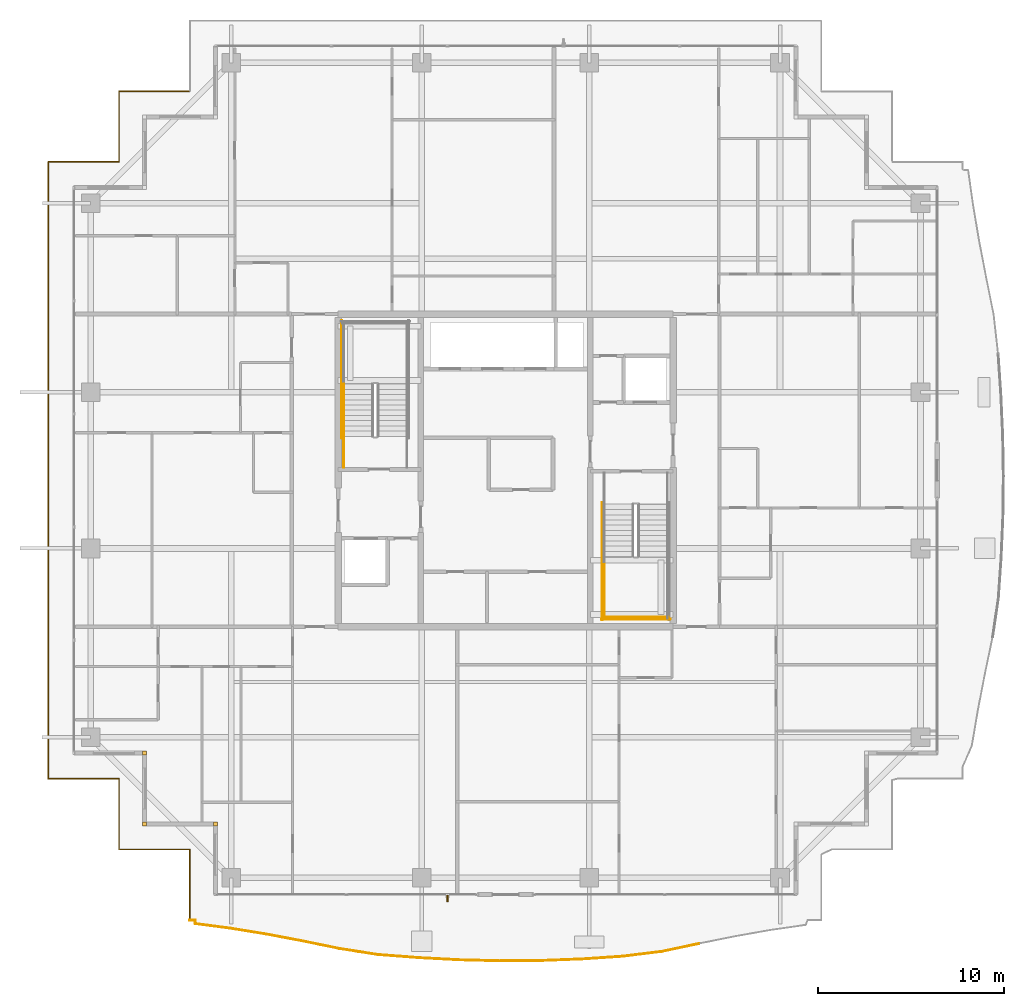
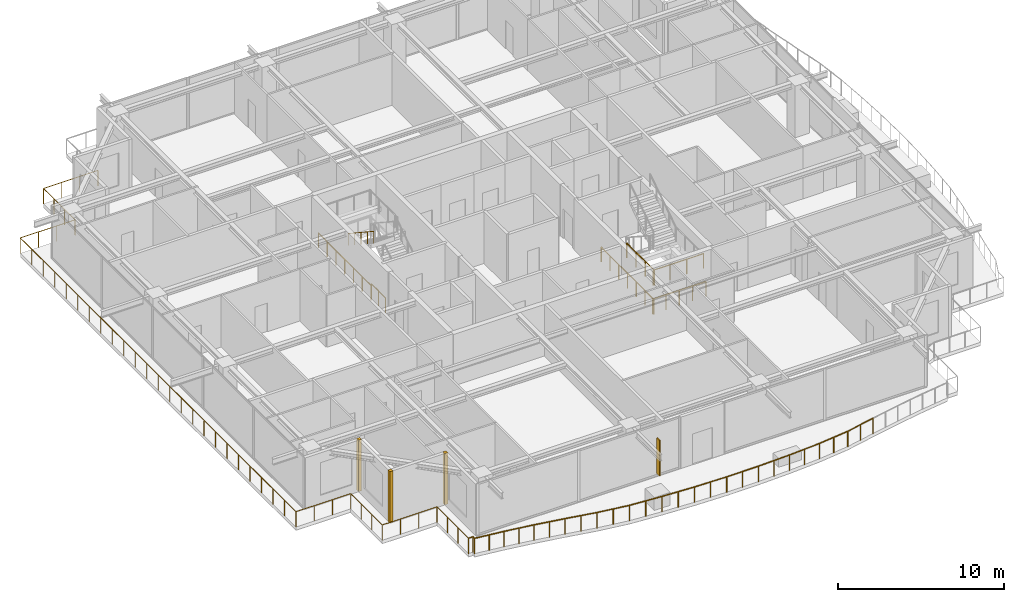
# One storey, part 37 of 41: 10 railings, 3 coverings, 1 shading device.
"""IFC4 building model written with IfcOpenShell, lengths in metres."""

from ifc_helpers import new_model, si_unit, direction, frame, origin, origin_2d, place, context, subcontext, project, spatial, rectangle, circle, extrude, source, transform, mapped, material, layer, layer_set, type_object, element, save


model = new_model("IFC4")

# Units and contexts
model_context = context("Model", 3, precision=1e-05, world=origin(), true_north=direction((0.0, 1.0)))
body_context = subcontext(model_context, "Body", "Model", "MODEL_VIEW")
ifc_project = project(units=[si_unit("LENGTHUNIT", "METRE"), si_unit("AREAUNIT", "SQUARE_METRE"), si_unit("VOLUMEUNIT", "CUBIC_METRE"), si_unit("PLANEANGLEUNIT", "RADIAN"), si_unit("MASSUNIT", "GRAM", prefix="KILO")], contexts=[model_context])

# Site, building, storey
site_placement = place(None, origin())
site = spatial("IfcSite", under=ifc_project, at=site_placement, CompositionType="ELEMENT")
building_placement = place(site_placement, origin())
building = spatial("IfcBuilding", under=site, at=building_placement, Name="Serunith Strait Residences", CompositionType="ELEMENT")
storey_placement = place(building_placement, frame((0.0, 0.0, 301.550048828125)))
storey = spatial("IfcBuildingStorey", under=building, at=storey_placement, Name="L75", CompositionType="ELEMENT", Elevation=301.550048828125)

# Railings
ifc_material_1 = material(Name="Stainless Steel & Laminated Glass Balustrade", Category="steel")
railing_type_1 = type_object("IfcRailingType", Name="RLG-BALC-1150", PredefinedType="BALUSTRADE", material=ifc_material_1)
railing_1_placement = place(storey_placement, frame((15.419921875, 1.02001953125, -0.050048828125)))
element("IfcRailing", 1, at=railing_1_placement, inside=storey, type_object=railing_type_1, Name="L75 Swirling Balcony Perimeter Balustrade 1", PredefinedType="BALUSTRADE", context=body_context, shape_type="SweptSolid", body=[
    extrude(circle(Radius=0.02392578125, at=origin_2d()), frame((0.0, 0.001953125, 1.1259765625), z_axis=(0.0, 1.0, 0.0), x_axis=(-1.0, 0.0, 0.0)), (0.0, 0.0, 1.0), 3.796142578125),
    extrude(circle(Radius=0.02392578125, at=origin_2d()), frame((-0.001953125, 3.800048828125, 1.1259765625), z_axis=(-1.0, 0.0, 0.0), x_axis=(0.0, -1.0, 0.0)), (0.0, 0.0, 1.0), 3.7958984375),
    extrude(circle(Radius=0.02392578125, at=origin_2d()), frame((-3.7998046875, 3.802001953125, 1.1259765625), z_axis=(0.0, 1.0, 0.0), x_axis=(-1.0, 0.0, 0.0)), (0.0, 0.0, 1.0), 3.796142578125),
    extrude(circle(Radius=0.02392578125, at=origin_2d()), frame((-3.8017578125, 7.60009765625, 1.1259765625), z_axis=(-1.0, 0.0, 0.0), x_axis=(0.0, -1.0, 0.0)), (0.0, 0.0, 1.0), 3.796142578125),
    extrude(circle(Radius=0.02392578125, at=origin_2d()), frame((-7.599853515625, 7.60205078125, 1.1259765625), z_axis=(0.0, 1.0, 0.0), x_axis=(-1.0, 0.0, 0.0)), (0.0, 0.0, 1.0), 33.156005859375),
    extrude(circle(Radius=0.02392578125, at=origin_2d()), frame((-7.597900390625, 40.760009765625, 1.1259765625), z_axis=(1.0, 0.0, 0.0), x_axis=(0.0, 1.0, 0.0)), (0.0, 0.0, 1.0), 3.796142578125),
    extrude(circle(Radius=0.02392578125, at=origin_2d()), frame((-3.7998046875, 40.761962890625, 1.1259765625), z_axis=(0.0, 1.0, 0.0), x_axis=(-1.0, 0.0, 0.0)), (0.0, 0.0, 1.0), 3.796142578125),
    extrude(circle(Radius=0.02392578125, at=origin_2d()), frame((-3.7978515625, 44.56005859375, 1.1259765625), z_axis=(1.0, 0.0, 0.0), x_axis=(0.0, 1.0, 0.0)), (0.0, 0.0, 1.0), 3.783447265625),
    extrude(circle(Radius=0.02099609375, at=origin_2d()), origin(), (0.0, 0.0, 1.0), 1.099853515625),
    extrude(circle(Radius=0.02099609375, at=origin_2d()), frame((0.0, 1.2666015625, 0.0)), (0.0, 0.0, 1.0), 1.099853515625),
    extrude(circle(Radius=0.02099609375, at=origin_2d()), frame((0.0, 2.533447265625, 0.0)), (0.0, 0.0, 1.0), 1.099853515625),
    extrude(circle(Radius=0.02099609375, at=origin_2d()), frame((0.0, 3.800048828125, 0.0)), (0.0, 0.0, 1.0), 1.099853515625),
    extrude(circle(Radius=0.02099609375, at=origin_2d()), frame((-1.2666015625, 3.800048828125, 0.0)), (0.0, 0.0, 1.0), 1.099853515625),
    extrude(circle(Radius=0.02099609375, at=origin_2d()), frame((-2.533203125, 3.800048828125, 0.0)), (0.0, 0.0, 1.0), 1.099853515625),
    extrude(circle(Radius=0.02099609375, at=origin_2d()), frame((-3.7998046875, 3.800048828125, 0.0)), (0.0, 0.0, 1.0), 1.099853515625),
    extrude(circle(Radius=0.02099609375, at=origin_2d()), frame((-3.7998046875, 5.066650390625, 0.0)), (0.0, 0.0, 1.0), 1.099853515625),
    extrude(circle(Radius=0.02099609375, at=origin_2d()), frame((-3.7998046875, 6.33349609375, 0.0)), (0.0, 0.0, 1.0), 1.099853515625),
    extrude(circle(Radius=0.02099609375, at=origin_2d()), frame((-3.7998046875, 7.60009765625, 0.0)), (0.0, 0.0, 1.0), 1.099853515625),
    extrude(circle(Radius=0.02099609375, at=origin_2d()), frame((-5.06640625, 7.60009765625, 0.0)), (0.0, 0.0, 1.0), 1.099853515625),
    extrude(circle(Radius=0.02099609375, at=origin_2d()), frame((-6.333251953125, 7.60009765625, 0.0)), (0.0, 0.0, 1.0), 1.099853515625),
    extrude(circle(Radius=0.02099609375, at=origin_2d()), frame((-7.599853515625, 7.60009765625, 0.0)), (0.0, 0.0, 1.0), 1.099853515625),
    extrude(circle(Radius=0.02099609375, at=origin_2d()), frame((-7.599853515625, 8.981689453125, 0.0)), (0.0, 0.0, 1.0), 1.099853515625),
    extrude(circle(Radius=0.02099609375, at=origin_2d()), frame((-7.599853515625, 10.363525390625, 0.0)), (0.0, 0.0, 1.0), 1.099853515625),
    extrude(circle(Radius=0.02099609375, at=origin_2d()), frame((-7.599853515625, 11.7451171875, 0.0)), (0.0, 0.0, 1.0), 1.099853515625),
    extrude(circle(Radius=0.02099609375, at=origin_2d()), frame((-7.599853515625, 13.126708984375, 0.0)), (0.0, 0.0, 1.0), 1.099853515625),
    extrude(circle(Radius=0.02099609375, at=origin_2d()), frame((-7.599853515625, 14.50830078125, 0.0)), (0.0, 0.0, 1.0), 1.099853515625),
    extrude(circle(Radius=0.02099609375, at=origin_2d()), frame((-7.599853515625, 15.89013671875, 0.0)), (0.0, 0.0, 1.0), 1.099853515625),
    extrude(circle(Radius=0.02099609375, at=origin_2d()), frame((-7.599853515625, 17.271728515625, 0.0)), (0.0, 0.0, 1.0), 1.099853515625),
    extrude(circle(Radius=0.02099609375, at=origin_2d()), frame((-7.599853515625, 18.6533203125, 0.0)), (0.0, 0.0, 1.0), 1.099853515625),
    extrude(circle(Radius=0.02099609375, at=origin_2d()), frame((-7.599853515625, 20.03515625, 0.0)), (0.0, 0.0, 1.0), 1.099853515625),
    extrude(circle(Radius=0.02099609375, at=origin_2d()), frame((-7.599853515625, 21.416748046875, 0.0)), (0.0, 0.0, 1.0), 1.099853515625),
    extrude(circle(Radius=0.02099609375, at=origin_2d()), frame((-7.599853515625, 22.79833984375, 0.0)), (0.0, 0.0, 1.0), 1.099853515625),
    extrude(circle(Radius=0.02099609375, at=origin_2d()), frame((-7.599853515625, 24.18017578125, 0.0)), (0.0, 0.0, 1.0), 1.099853515625),
    extrude(circle(Radius=0.02099609375, at=origin_2d()), frame((-7.599853515625, 25.561767578125, 0.0)), (0.0, 0.0, 1.0), 1.099853515625),
    extrude(circle(Radius=0.02099609375, at=origin_2d()), frame((-7.599853515625, 26.943359375, 0.0)), (0.0, 0.0, 1.0), 1.099853515625),
    extrude(circle(Radius=0.02099609375, at=origin_2d()), frame((-7.599853515625, 28.324951171875, 0.0)), (0.0, 0.0, 1.0), 1.099853515625),
    extrude(circle(Radius=0.02099609375, at=origin_2d()), frame((-7.599853515625, 29.706787109375, 0.0)), (0.0, 0.0, 1.0), 1.099853515625),
    extrude(circle(Radius=0.02099609375, at=origin_2d()), frame((-7.599853515625, 31.08837890625, 0.0)), (0.0, 0.0, 1.0), 1.099853515625),
    extrude(circle(Radius=0.02099609375, at=origin_2d()), frame((-7.599853515625, 32.469970703125, 0.0)), (0.0, 0.0, 1.0), 1.099853515625),
    extrude(circle(Radius=0.02099609375, at=origin_2d()), frame((-7.599853515625, 33.851806640625, 0.0)), (0.0, 0.0, 1.0), 1.099853515625),
    extrude(circle(Radius=0.02099609375, at=origin_2d()), frame((-7.599853515625, 35.2333984375, 0.0)), (0.0, 0.0, 1.0), 1.099853515625),
    extrude(circle(Radius=0.02099609375, at=origin_2d()), frame((-7.599853515625, 36.614990234375, 0.0)), (0.0, 0.0, 1.0), 1.099853515625),
    extrude(circle(Radius=0.02099609375, at=origin_2d()), frame((-7.599853515625, 37.99658203125, 0.0)), (0.0, 0.0, 1.0), 1.099853515625),
    extrude(circle(Radius=0.02099609375, at=origin_2d()), frame((-7.599853515625, 39.37841796875, 0.0)), (0.0, 0.0, 1.0), 1.099853515625),
    extrude(circle(Radius=0.02099609375, at=origin_2d()), frame((-7.599853515625, 40.760009765625, 0.0)), (0.0, 0.0, 1.0), 1.099853515625),
    extrude(circle(Radius=0.02099609375, at=origin_2d()), frame((-6.333251953125, 40.760009765625, 0.0)), (0.0, 0.0, 1.0), 1.099853515625),
    extrude(circle(Radius=0.02099609375, at=origin_2d()), frame((-5.06640625, 40.760009765625, 0.0)), (0.0, 0.0, 1.0), 1.099853515625),
    extrude(circle(Radius=0.02099609375, at=origin_2d()), frame((-3.7998046875, 40.760009765625, 0.0)), (0.0, 0.0, 1.0), 1.099853515625),
    extrude(circle(Radius=0.02099609375, at=origin_2d()), frame((-3.7998046875, 42.026611328125, 0.0)), (0.0, 0.0, 1.0), 1.099853515625),
    extrude(circle(Radius=0.02099609375, at=origin_2d()), frame((-3.7998046875, 43.29345703125, 0.0)), (0.0, 0.0, 1.0), 1.099853515625),
    extrude(circle(Radius=0.02099609375, at=origin_2d()), frame((-3.7998046875, 44.56005859375, 0.0)), (0.0, 0.0, 1.0), 1.099853515625),
    extrude(circle(Radius=0.02099609375, at=origin_2d()), frame((-2.537353515625, 44.56005859375, 0.0)), (0.0, 0.0, 1.0), 1.099853515625),
    extrude(circle(Radius=0.02099609375, at=origin_2d()), frame((-1.27490234375, 44.56005859375, 0.0)), (0.0, 0.0, 1.0), 1.099853515625),
    extrude(circle(Radius=0.02099609375, at=origin_2d()), frame((-0.012451171875, 44.56005859375, 0.0)), (0.0, 0.0, 1.0), 1.099853515625),
])
railing_2_placement = place(storey_placement, frame((42.795654296875, -0.240478515625, -0.050048828125)))
element("IfcRailing", 2, at=railing_2_placement, inside=storey, type_object=railing_type_1, Name="L75 Swirling Balcony Perimeter Balustrade 7", PredefinedType="BALUSTRADE", context=body_context, shape_type="SweptSolid", body=[
    extrude(circle(Radius=0.02392578125, at=origin_2d()), frame((-0.001953125, -0.00048828125, 1.1259765625), z_axis=(-0.978247338357, -0.207441907524, 0.0), x_axis=(0.207441907524, -0.978247338357, 0.0)), (0.0, 0.0, 1.0), 2.04150390625),
    extrude(circle(Radius=0.02392578125, at=origin_2d()), frame((-2.0029296875, -0.424560546875, 1.1259765625), z_axis=(-0.992519569327, -0.122085644135, 0.0), x_axis=(0.122085644135, -0.992519569327, 0.0)), (0.0, 0.0, 1.0), 2.123779296875),
    extrude(circle(Radius=0.02392578125, at=origin_2d()), frame((-4.11474609375, -0.684326171875, 1.1259765625), z_axis=(-0.997781188469, -0.066578524596, 0.0), x_axis=(0.066578524596, -0.997781188469, 0.0)), (0.0, 0.0, 1.0), 2.174072265625),
    extrude(circle(Radius=0.02392578125, at=origin_2d()), frame((-6.2880859375, -0.8291015625, 1.1259765625), z_axis=(-0.999261011003, -0.038437376213, 0.0), x_axis=(0.038437376213, -0.999261011003, 0.0)), (0.0, 0.0, 1.0), 2.199951171875),
    extrude(circle(Radius=0.02392578125, at=origin_2d()), frame((-8.490478515625, -0.913818359375, 1.1259765625), z_axis=(-0.999976663006, -0.006831796486, 0.0), x_axis=(0.006831796486, -0.999976663006, 0.0)), (0.0, 0.0, 1.0), 2.211669921875),
    extrude(circle(Radius=0.02392578125, at=origin_2d()), frame((-10.7060546875, -0.928955078125, 1.1259765625), z_axis=(-0.99968888601, 0.024942557765, 0.0), x_axis=(-0.024942557765, -0.99968888601, 0.0)), (0.0, 0.0, 1.0), 2.2080078125),
    extrude(circle(Radius=0.02392578125, at=origin_2d()), frame((-12.91748046875, -0.873779296875, 1.1259765625), z_axis=(-0.998566645882, 0.05352246007, 0.0), x_axis=(-0.05352246007, -0.998566645882, 0.0)), (0.0, 0.0, 1.0), 2.18994140625),
    extrude(circle(Radius=0.02099609375, at=origin_2d()), origin(), (0.0, 0.0, 1.0), 1.099853515625),
    extrude(circle(Radius=0.02099609375, at=origin_2d()), frame((-1.00048828125, -0.212158203125, 0.0)), (0.0, 0.0, 1.0), 1.099853515625),
    extrude(circle(Radius=0.02099609375, at=origin_2d()), frame((-2.0009765625, -0.42431640625, 0.0)), (0.0, 0.0, 1.0), 1.099853515625),
    extrude(circle(Radius=0.02099609375, at=origin_2d()), frame((-3.056884765625, -0.55419921875, 0.0)), (0.0, 0.0, 1.0), 1.099853515625),
    extrude(circle(Radius=0.02099609375, at=origin_2d()), frame((-4.11279296875, -0.68408203125, 0.0)), (0.0, 0.0, 1.0), 1.099853515625),
    extrude(circle(Radius=0.02099609375, at=origin_2d()), frame((-5.199462890625, -0.756591796875, 0.0)), (0.0, 0.0, 1.0), 1.099853515625),
    extrude(circle(Radius=0.02099609375, at=origin_2d()), frame((-6.2861328125, -0.8291015625, 0.0)), (0.0, 0.0, 1.0), 1.099853515625),
    extrude(circle(Radius=0.02099609375, at=origin_2d()), frame((-7.38720703125, -0.87158203125, 0.0)), (0.0, 0.0, 1.0), 1.099853515625),
    extrude(circle(Radius=0.02099609375, at=origin_2d()), frame((-8.488525390625, -0.913818359375, 0.0)), (0.0, 0.0, 1.0), 1.099853515625),
    extrude(circle(Radius=0.02099609375, at=origin_2d()), frame((-9.59619140625, -0.92138671875, 0.0)), (0.0, 0.0, 1.0), 1.099853515625),
    extrude(circle(Radius=0.02099609375, at=origin_2d()), frame((-10.7041015625, -0.928955078125, 0.0)), (0.0, 0.0, 1.0), 1.099853515625),
    extrude(circle(Radius=0.02099609375, at=origin_2d()), frame((-11.809814453125, -0.9013671875, 0.0)), (0.0, 0.0, 1.0), 1.099853515625),
    extrude(circle(Radius=0.02099609375, at=origin_2d()), frame((-12.91552734375, -0.873779296875, 0.0)), (0.0, 0.0, 1.0), 1.099853515625),
    extrude(circle(Radius=0.02099609375, at=origin_2d()), frame((-14.010986328125, -0.81494140625, 0.0)), (0.0, 0.0, 1.0), 1.099853515625),
    extrude(circle(Radius=0.02099609375, at=origin_2d()), frame((-15.1064453125, -0.75634765625, 0.0)), (0.0, 0.0, 1.0), 1.099853515625),
])
railing_3_placement = place(storey_placement, frame((27.689208984375, -0.996826171875, -0.050048828125)))
element("IfcRailing", 3, at=railing_3_placement, inside=storey, type_object=railing_type_1, Name="L75 Swirling Balcony Perimeter Balustrade 8", PredefinedType="BALUSTRADE", context=body_context, shape_type="SweptSolid", body=[
    extrude(circle(Radius=0.02392578125, at=origin_2d()), frame((-0.001953125, 0.000244140625, 1.1259765625), z_axis=(-0.997081619449, 0.076342937838, 0.0), x_axis=(-0.076342937838, -0.997081619449, 0.0)), (0.0, 0.0, 1.0), 2.160888671875),
    extrude(circle(Radius=0.02392578125, at=origin_2d()), frame((-2.16064453125, 0.16552734375, 1.1259765625), z_axis=(-0.987866426767, 0.155305900937, 0.0), x_axis=(-0.155305900937, -0.987866426767, 0.0)), (0.0, 0.0, 1.0), 2.09619140625),
    extrude(circle(Radius=0.02392578125, at=origin_2d()), frame((-4.2353515625, 0.491943359375, 1.1259765625), z_axis=(-0.979495523482, 0.201465926345, 0.0), x_axis=(-0.201465926345, -0.979495523482, 0.0)), (0.0, 0.0, 1.0), 2.022216796875),
    extrude(circle(Radius=0.02392578125, at=origin_2d()), frame((-6.219970703125, 0.900146484375, 1.1259765625), z_axis=(-0.982552514499, 0.185985365693, 0.0), x_axis=(-0.185985365693, -0.982552514499, 0.0)), (0.0, 0.0, 1.0), 1.9677734375),
    extrude(circle(Radius=0.02392578125, at=origin_2d()), frame((-8.1572265625, 1.2666015625, 1.1259765625), z_axis=(-0.987074202821, 0.160263901506, 0.0), x_axis=(-0.160263901506, -0.987074202821, 0.0)), (0.0, 0.0, 1.0), 1.9306640625),
    extrude(circle(Radius=0.02392578125, at=origin_2d()), frame((-10.06689453125, 1.57666015625, 1.1259765625), z_axis=(-0.991317889933, 0.131487037762, 0.0), x_axis=(-0.131487037762, -0.991317889933, 0.0)), (0.0, 0.0, 1.0), 1.910400390625),
    extrude(circle(Radius=0.02392578125, at=origin_2d()), frame((-11.962646484375, 1.830078125, 1.1259765625), z_axis=(0.007761732553, 0.9999698773, 0.0), x_axis=(-0.9999698773, 0.007761732553, 0.0)), (0.0, 0.0, 1.0), 0.184814453125),
    extrude(circle(Radius=0.02392578125, at=origin_2d()), frame((-11.963134765625, 2.016845703125, 1.1259765625), z_axis=(-1.0, 0.0, 0.0), x_axis=(0.0, -1.0, 0.0)), (0.0, 0.0, 1.0), 0.30419921875),
    extrude(circle(Radius=0.02099609375, at=origin_2d()), origin(), (0.0, 0.0, 1.0), 1.099853515625),
    extrude(circle(Radius=0.02099609375, at=origin_2d()), frame((-1.079345703125, 0.08251953125, 0.0)), (0.0, 0.0, 1.0), 1.099853515625),
    extrude(circle(Radius=0.02099609375, at=origin_2d()), frame((-2.15869140625, 0.165283203125, 0.0)), (0.0, 0.0, 1.0), 1.099853515625),
    extrude(circle(Radius=0.02099609375, at=origin_2d()), frame((-3.196044921875, 0.328369140625, 0.0)), (0.0, 0.0, 1.0), 1.099853515625),
    extrude(circle(Radius=0.02099609375, at=origin_2d()), frame((-4.2333984375, 0.491455078125, 0.0)), (0.0, 0.0, 1.0), 1.099853515625),
    extrude(circle(Radius=0.02099609375, at=origin_2d()), frame((-5.2255859375, 0.695556640625, 0.0)), (0.0, 0.0, 1.0), 1.099853515625),
    extrude(circle(Radius=0.02099609375, at=origin_2d()), frame((-6.218017578125, 0.899658203125, 0.0)), (0.0, 0.0, 1.0), 1.099853515625),
    extrude(circle(Radius=0.02099609375, at=origin_2d()), frame((-7.1865234375, 1.0830078125, 0.0)), (0.0, 0.0, 1.0), 1.099853515625),
    extrude(circle(Radius=0.02099609375, at=origin_2d()), frame((-8.1552734375, 1.266357421875, 0.0)), (0.0, 0.0, 1.0), 1.099853515625),
    extrude(circle(Radius=0.02099609375, at=origin_2d()), frame((-9.110107421875, 1.42138671875, 0.0)), (0.0, 0.0, 1.0), 1.099853515625),
    extrude(circle(Radius=0.02099609375, at=origin_2d()), frame((-10.06494140625, 1.576416015625, 0.0)), (0.0, 0.0, 1.0), 1.099853515625),
    extrude(circle(Radius=0.02099609375, at=origin_2d()), frame((-11.013671875, 1.7021484375, 0.0)), (0.0, 0.0, 1.0), 1.099853515625),
    extrude(circle(Radius=0.02099609375, at=origin_2d()), frame((-11.962646484375, 1.828125, 0.0)), (0.0, 0.0, 1.0), 1.099853515625),
    extrude(circle(Radius=0.02099609375, at=origin_2d()), frame((-11.961181640625, 2.016845703125, 0.0)), (0.0, 0.0, 1.0), 1.099853515625),
    extrude(circle(Radius=0.02099609375, at=origin_2d()), frame((-12.269287109375, 2.016845703125, 0.0)), (0.0, 0.0, 1.0), 1.099853515625),
])
ifc_material_2 = material(Name="Brushed stainless steel 316L", Category="steel")
railing_type_2 = type_object("IfcRailingType", Name="RLG-STAIR-GUARD", PredefinedType="BALUSTRADE", material=ifc_material_2)
railing_4_placement = place(storey_placement, frame((23.699951171875, 25.35009765625, 0.0)))
element("IfcRailing", 4, at=railing_4_placement, inside=storey, type_object=railing_type_2, Name="L75 ST-1 stair guard 9", PredefinedType="BALUSTRADE", context=body_context, shape_type="SweptSolid", body=[
    extrude(circle(Radius=0.02392578125, at=origin_2d()), frame((0.0, 0.001953125, 1.076171875), z_axis=(0.0, 1.0, 0.0), x_axis=(-1.0, 0.0, 0.0)), (0.0, 0.0, 1.0), 1.676025390625),
    extrude(circle(Radius=0.02099609375, at=origin_2d()), origin(), (0.0, 0.0, 1.0), 1.050048828125),
    extrude(circle(Radius=0.02099609375, at=origin_2d()), frame((0.0, 0.83984375, 0.0)), (0.0, 0.0, 1.0), 1.050048828125),
    extrude(circle(Radius=0.02099609375, at=origin_2d()), frame((0.0, 1.679931640625, 0.0)), (0.0, 0.0, 1.0), 1.050048828125),
])
railing_5_placement = place(storey_placement, frame((23.60009765625, 26.929931640625, 0.0)))
element("IfcRailing", 5, at=railing_5_placement, inside=storey, type_object=railing_type_2, Name="L75 ST-1 stair guard 11", PredefinedType="BALUSTRADE", context=body_context, shape_type="SweptSolid", body=[
    extrude(circle(Radius=0.02392578125, at=origin_2d()), frame((0.0, 0.001953125, 1.076171875), z_axis=(0.0, 1.0, 0.0), x_axis=(-1.0, 0.0, 0.0)), (0.0, 0.0, 1.0), 6.316162109375),
    extrude(circle(Radius=0.02099609375, at=origin_2d()), origin(), (0.0, 0.0, 1.0), 1.050048828125),
    extrude(circle(Radius=0.02099609375, at=origin_2d()), frame((0.0, 1.05322265625, 0.0)), (0.0, 0.0, 1.0), 1.050048828125),
    extrude(circle(Radius=0.02099609375, at=origin_2d()), frame((0.0, 2.106689453125, 0.0)), (0.0, 0.0, 1.0), 1.050048828125),
    extrude(circle(Radius=0.02099609375, at=origin_2d()), frame((0.0, 3.16015625, 0.0)), (0.0, 0.0, 1.0), 1.050048828125),
    extrude(circle(Radius=0.02099609375, at=origin_2d()), frame((0.0, 4.21337890625, 0.0)), (0.0, 0.0, 1.0), 1.050048828125),
    extrude(circle(Radius=0.02099609375, at=origin_2d()), frame((0.0, 5.2666015625, 0.0)), (0.0, 0.0, 1.0), 1.050048828125),
    extrude(circle(Radius=0.02099609375, at=origin_2d()), frame((0.0, 6.320068359375, 0.0)), (0.0, 0.0, 1.0), 1.050048828125),
])
railing_6_placement = place(storey_placement, frame((37.699951171875, 20.570068359375, 2.02490234375)))
element("IfcRailing", 6, at=railing_6_placement, inside=storey, type_object=railing_type_2, Name="L75 ST-2 stair guard 3", PredefinedType="BALUSTRADE", context=body_context, shape_type="SweptSolid", body=[
    extrude(circle(Radius=0.02392578125, at=origin_2d()), frame((0.0, -0.001953125, 1.076171875), z_axis=(0.0, -1.0, 0.0), x_axis=(1.0, 0.0, 0.0)), (0.0, 0.0, 1.0), 3.316162109375),
    extrude(circle(Radius=0.02099609375, at=origin_2d()), origin(), (0.0, 0.0, 1.0), 1.050048828125),
    extrude(circle(Radius=0.02099609375, at=origin_2d()), frame((0.0, -1.106689453125, 0.0)), (0.0, 0.0, 1.0), 1.050048828125),
    extrude(circle(Radius=0.02099609375, at=origin_2d()), frame((0.0, -2.21337890625, 0.0)), (0.0, 0.0, 1.0), 1.050048828125),
    extrude(circle(Radius=0.02099609375, at=origin_2d()), frame((0.0, -3.320068359375, 0.0)), (0.0, 0.0, 1.0), 1.050048828125),
])
railing_7_placement = place(storey_placement, frame((37.64990234375, 17.300048828125, 2.02490234375)))
element("IfcRailing", 7, at=railing_7_placement, inside=storey, type_object=railing_type_2, Name="L75 ST-2 stair guard 5", PredefinedType="BALUSTRADE", context=body_context, shape_type="SweptSolid", body=[
    extrude(circle(Radius=0.02392578125, at=origin_2d()), frame((0.001953125, 0.0, 1.076171875), z_axis=(1.0, 0.0, 0.0), x_axis=(0.0, 1.0, 0.0)), (0.0, 0.0, 1.0), 3.49609375),
    extrude(circle(Radius=0.02099609375, at=origin_2d()), origin(), (0.0, 0.0, 1.0), 1.050048828125),
    extrude(circle(Radius=0.02099609375, at=origin_2d()), frame((1.166748046875, 0.0, 0.0)), (0.0, 0.0, 1.0), 1.050048828125),
    extrude(circle(Radius=0.02099609375, at=origin_2d()), frame((2.333251953125, 0.0, 0.0)), (0.0, 0.0, 1.0), 1.050048828125),
    extrude(circle(Radius=0.02099609375, at=origin_2d()), frame((3.5, 0.0, 0.0)), (0.0, 0.0, 1.0), 1.050048828125),
])
railing_8_placement = place(storey_placement, frame((37.60009765625, 23.469970703125, 0.0)))
element("IfcRailing", 8, at=railing_8_placement, inside=storey, type_object=railing_type_2, Name="L75 ST-2 stair guard 10", PredefinedType="BALUSTRADE", context=body_context, shape_type="SweptSolid", body=[
    extrude(circle(Radius=0.02392578125, at=origin_2d()), frame((0.0, -0.001953125, 1.076171875), z_axis=(0.0, -1.0, 0.0), x_axis=(1.0, 0.0, 0.0)), (0.0, 0.0, 1.0), 6.316162109375),
    extrude(circle(Radius=0.02099609375, at=origin_2d()), origin(), (0.0, 0.0, 1.0), 1.050048828125),
    extrude(circle(Radius=0.02099609375, at=origin_2d()), frame((0.0, -1.05322265625, 0.0)), (0.0, 0.0, 1.0), 1.050048828125),
    extrude(circle(Radius=0.02099609375, at=origin_2d()), frame((0.0, -2.106689453125, 0.0)), (0.0, 0.0, 1.0), 1.050048828125),
    extrude(circle(Radius=0.02099609375, at=origin_2d()), frame((0.0, -3.16015625, 0.0)), (0.0, 0.0, 1.0), 1.050048828125),
    extrude(circle(Radius=0.02099609375, at=origin_2d()), frame((0.0, -4.21337890625, 0.0)), (0.0, 0.0, 1.0), 1.050048828125),
    extrude(circle(Radius=0.02099609375, at=origin_2d()), frame((0.0, -5.2666015625, 0.0)), (0.0, 0.0, 1.0), 1.050048828125),
    extrude(circle(Radius=0.02099609375, at=origin_2d()), frame((0.0, -6.320068359375, 0.0)), (0.0, 0.0, 1.0), 1.050048828125),
])
railing_9_placement = place(storey_placement, frame((37.550048828125, 17.199951171875, 0.0)))
element("IfcRailing", 9, at=railing_9_placement, inside=storey, type_object=railing_type_2, Name="L75 ST-2 stair guard 12", PredefinedType="BALUSTRADE", context=body_context, shape_type="SweptSolid", body=[
    extrude(circle(Radius=0.02392578125, at=origin_2d()), frame((0.001953125, 0.0, 1.076171875), z_axis=(1.0, 0.0, 0.0), x_axis=(0.0, 1.0, 0.0)), (0.0, 0.0, 1.0), 3.696044921875),
    extrude(circle(Radius=0.02099609375, at=origin_2d()), origin(), (0.0, 0.0, 1.0), 1.050048828125),
    extrude(circle(Radius=0.02099609375, at=origin_2d()), frame((0.925048828125, 0.0, 0.0)), (0.0, 0.0, 1.0), 1.050048828125),
    extrude(circle(Radius=0.02099609375, at=origin_2d()), frame((1.85009765625, 0.0, 0.0)), (0.0, 0.0, 1.0), 1.050048828125),
    extrude(circle(Radius=0.02099609375, at=origin_2d()), frame((2.77490234375, 0.0, 0.0)), (0.0, 0.0, 1.0), 1.050048828125),
    extrude(circle(Radius=0.02099609375, at=origin_2d()), frame((3.699951171875, 0.0, 0.0)), (0.0, 0.0, 1.0), 1.050048828125),
])
railing_type_3 = type_object("IfcRailingType", Name="RLG-STAIR-HR", PredefinedType="HANDRAIL", material=ifc_material_2)
railing_10_placement = place(storey_placement, frame((23.699951171875, 29.830078125, 2.208984375)))
element("IfcRailing", 10, at=railing_10_placement, inside=storey, type_object=railing_type_3, Name="L75 ST-1 stair handrail 2", PredefinedType="HANDRAIL", context=body_context, shape_type="SweptSolid", body=[
    extrude(circle(Radius=0.02392578125, at=origin_2d()), frame((0.0, -0.001708984375, 0.876953125), z_axis=(0.0, -0.83496096917, 0.550309167616), x_axis=(1.0, 0.0, 0.0)), (0.0, 0.0, 1.0), 3.684814453125),
    extrude(circle(Radius=0.02099609375, at=origin_2d()), origin(), (0.0, 0.0, 1.0), 0.849853515625),
    extrude(circle(Radius=0.02099609375, at=origin_2d()), frame((0.0, -0.77001953125, 0.507568359375)), (0.0, 0.0, 1.0), 0.849853515625),
    extrude(circle(Radius=0.02099609375, at=origin_2d()), frame((0.0, -1.5400390625, 1.01513671875)), (0.0, 0.0, 1.0), 0.849853515625),
    extrude(circle(Radius=0.02099609375, at=origin_2d()), frame((0.0, -2.31005859375, 1.5224609375)), (0.0, 0.0, 1.0), 0.849853515625),
    extrude(circle(Radius=0.02099609375, at=origin_2d()), frame((0.0, -3.080078125, 2.030029296875)), (0.0, 0.0, 1.0), 0.849853515625),
])

# Shading device
ifc_material_3 = material(Name="Pale-Champagne Perforated Aluminium Fin", Category="aluminium")
shading_device_type = type_object("IfcShadingDeviceType", Name="SHD-DIAG-FIN", PredefinedType="AWNING", material=ifc_material_3)
shared_shape_1 = source(origin(), body_context, "Body", "SweptSolid", [
    extrude(rectangle(XDim=0.080078125, YDim=0.35009765625, at=origin_2d()), origin(), (0.0, 0.0, 1.0), 2.60009765625),
])
shading_device_placement = place(storey_placement, frame((29.280029296875, 2.179931640625, 0.199951171875), z_axis=(0.0, 0.0, 1.0), x_axis=(1.0, 0.0, 0.0)))
element("IfcShadingDevice", 11, at=shading_device_placement, inside=storey, type_object=shading_device_type, Name="L75 Diagonal Rhythm Solar Fin S", PredefinedType="AWNING", context=body_context, shape_type="MappedRepresentation", body=[
    mapped(shared_shape_1, transform((0.0, 0.0, 0.0), scale=1.0)),
])

# Coverings
ifc_material_4 = material(Name="Pale-Champagne Anodised Aluminium", Category="aluminium")
ifc_layer = layer(ifc_material_4, 0.219970703125, Name="Pale-Champagne Anodised Aluminium")
ifc_layer_set = layer_set([ifc_layer], Name="Pale-Champagne Anodised Aluminium")
covering_type = type_object("IfcCoveringType", Name="COV-CORN-TRIM", PredefinedType="CLADDING", material=ifc_layer_set)
shared_shape_2 = source(origin(), body_context, "Body", "SweptSolid", [
    extrude(rectangle(XDim=0.221923828125, YDim=0.221923828125, at=origin_2d()), origin(), (0.0, 0.0, 1.0), 3.77490234375),
])
for number, where, z_axis, x_axis, name in (
    (12, (13.0, 10.0, 0.0), (0.0, 0.0, 1.0), (1.0, 0.0, 0.0), "L75 Girih Serrated Corner Trim Post 17"),
    (13, (13.0, 6.199951171875, 0.0), (0.0, 0.0, 1.0), (1.0, 0.0, 0.0), "L75 Girih Serrated Corner Trim Post 18"),
    (14, (16.800048828125, 6.199951171875, 0.0), (0.0, 0.0, 1.0), (1.0, 0.0, 0.0), "L75 Girih Serrated Corner Trim Post 19"),
):
    element("IfcCovering", number, at=place(storey_placement, frame(where, z_axis=z_axis, x_axis=x_axis)), inside=storey, type_object=covering_type, Name=name, PredefinedType="CLADDING", context=body_context, shape_type="MappedRepresentation", body=[
        mapped(shared_shape_2, transform((0.0, 0.0, 0.0), scale=1.0)),
    ])

save(model, "model.ifc")
